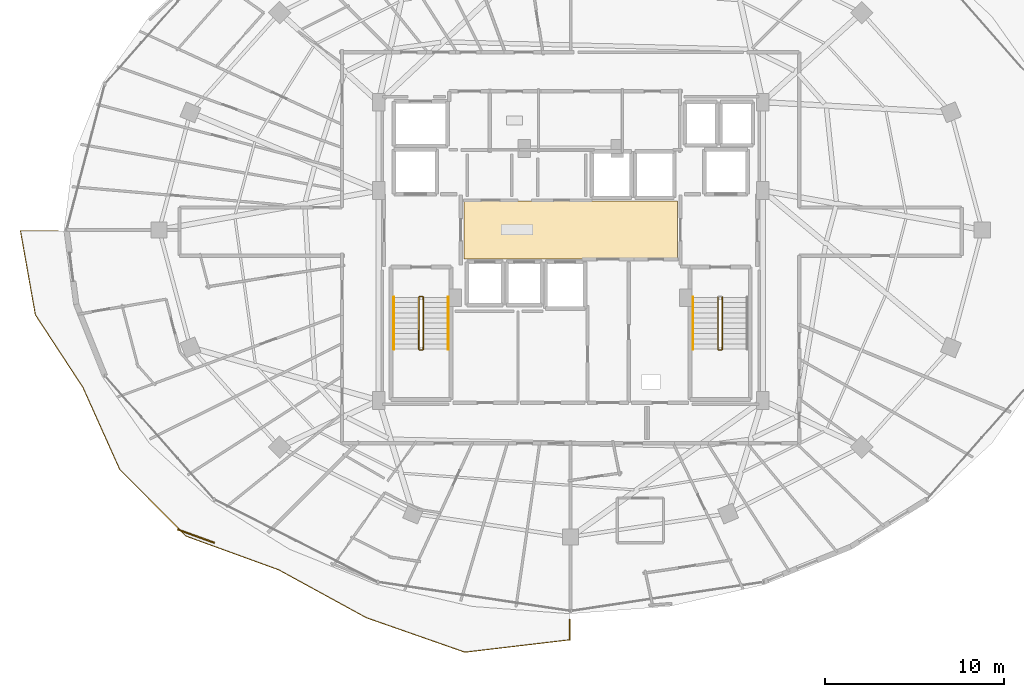
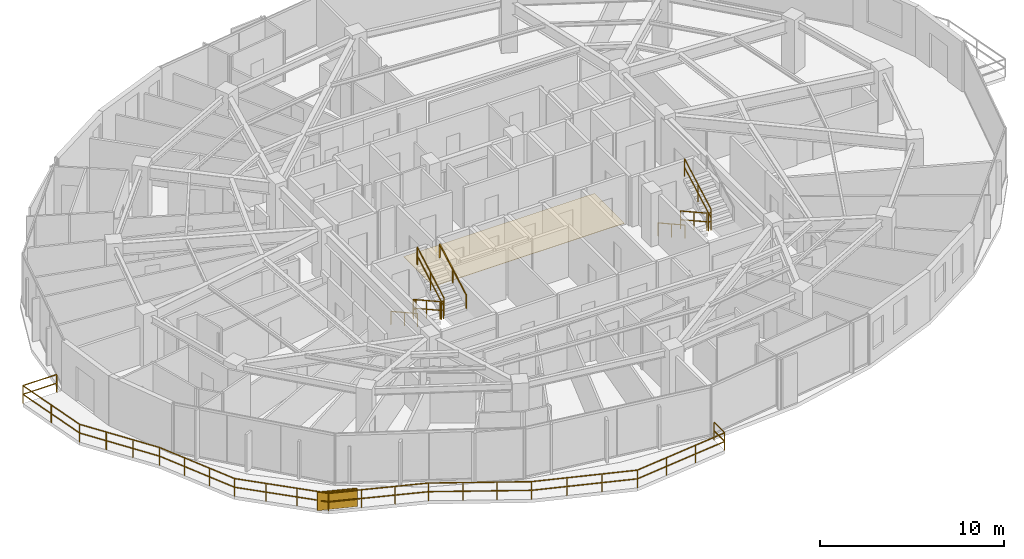
# One storey, part 31 of 33: 12 railings, 1 covering, 1 shading device.
"""IFC4 building model written with IfcOpenShell, lengths in metres."""

import ifcopenshell
import ifcopenshell.guid

model = None  # the IFC model being written
_history = None  # IfcOwnerHistory: only IFC2X3 demands one
_inside = {}  # id of a spatial element -> (the spatial element, [elements in it])
_under = {}  # id of a project, library or spatial element -> (it, [spatial elements below it])
_declared = {}  # id of a project -> (the project, [libraries it declares])
_typed = {}  # id of a type object -> (the type object, [elements of that type])
_made_of = {}  # id of a material, layer set ... -> (it, [elements and type objects made of it])


def new_model(schema):
    """Start an empty IFC model of exactly this schema.

    Asked for "IFC4X3", IfcOpenShell would pick the latest addendum, in which some entities
    have other attributes; the version numbers below select the first issue.
    IFC2X3 requires an IfcOwnerHistory on every rooted entity: one is made here for all.
    """
    global model, _history
    if schema == "IFC4X3":
        model = ifcopenshell.file(schema_version=(4, 3, 0, 0))
    else:
        model = ifcopenshell.file(schema=schema)
    _inside.clear()
    _under.clear()
    _declared.clear()
    _typed.clear()
    _made_of.clear()
    _history = None
    if model.schema == "IFC2X3":
        org = make("IfcOrganization", Name="unknown")
        user = make(
            "IfcPersonAndOrganization",
            ThePerson=make("IfcPerson", FamilyName="unknown"),
            TheOrganization=org,
        )
        app = make(
            "IfcApplication",
            ApplicationDeveloper=org,
            Version="unknown",
            ApplicationFullName="unknown",
            ApplicationIdentifier="unknown",
        )
        _history = make(
            "IfcOwnerHistory",
            OwningUser=user,
            OwningApplication=app,
            ChangeAction="ADDED",
            CreationDate=0,
        )
    return model


def make(cls, **values):
    """One entity of the class cls with the attributes given. An attribute that is None is left unset."""
    return model.create_entity(
        cls, **{name: value for name, value in values.items() if value is not None}
    )


def rooted(cls, **values):
    """An entity with a GlobalId (a new one), such as an element, a storey or a relation."""
    return make(cls, GlobalId=ifcopenshell.guid.new(), OwnerHistory=_history, **values)


def si_unit(unit_type, name, prefix=None):
    """IfcSIUnit, for example si_unit("LENGTHUNIT", "METRE", prefix="MILLI")."""
    return make("IfcSIUnit", UnitType=unit_type, Prefix=prefix, Name=name)


def assignment(units):
    """IfcUnitAssignment: the units of a project."""
    return None if units is None else make("IfcUnitAssignment", Units=units)


def point(xyz):
    """IfcCartesianPoint."""
    return None if xyz is None else make("IfcCartesianPoint", Coordinates=xyz)


def direction(xyz):
    """IfcDirection."""
    return None if xyz is None else make("IfcDirection", DirectionRatios=xyz)


def frame(location, z_axis=None, x_axis=None):
    """IfcAxis2Placement3D, a coordinate frame: its origin and axes. An axis left out is left unset."""
    return make(
        "IfcAxis2Placement3D",
        Location=point(location),
        Axis=direction(z_axis),
        RefDirection=direction(x_axis),
    )


def frame_2d(location, x_axis=None):
    """IfcAxis2Placement2D, a coordinate frame in the plane: its origin and x axis."""
    return make(
        "IfcAxis2Placement2D", Location=point(location), RefDirection=direction(x_axis)
    )


def origin():
    """The frame at (0, 0, 0) with its axes left unset."""
    return frame((0.0, 0.0, 0.0))


def origin_2d():
    """The frame at (0, 0) in the plane with its x axis left unset."""
    return frame_2d((0.0, 0.0))


def place(relative_to, where):
    """IfcLocalPlacement: puts the frame where relative to a parent placement (None: the world)."""
    return make(
        "IfcLocalPlacement", PlacementRelTo=relative_to, RelativePlacement=where
    )


def context(
    kind, dimensions, precision=None, world=None, true_north=None, identifier=None
):
    """IfcGeometricRepresentationContext, for example the 3D "Model" context."""
    return make(
        "IfcGeometricRepresentationContext",
        ContextIdentifier=identifier,
        ContextType=kind,
        CoordinateSpaceDimension=dimensions,
        Precision=precision,
        WorldCoordinateSystem=world,
        TrueNorth=true_north,
    )


def subcontext(parent, identifier, kind, view, scale=None):
    """IfcGeometricRepresentationSubContext, for example "Body" below "Model"."""
    return make(
        "IfcGeometricRepresentationSubContext",
        ContextIdentifier=identifier,
        ContextType=kind,
        ParentContext=parent,
        TargetScale=scale,
        TargetView=view,
    )


def project(units=None, contexts=None):
    """IfcProject with its units and contexts."""
    return rooted(
        "IfcProject",
        Name="project",
        RepresentationContexts=contexts,
        UnitsInContext=assignment(units),
    )


def spatial(cls, under=None, at=None, **own):
    """A site, building, storey or space (cls), placed at a placement, below another one or the project."""
    s = rooted(cls, ObjectPlacement=at, **own)
    if under is not None:
        _under.setdefault(under.id(), (under, []))[1].append(s)
    return s


def polyline(points):
    """IfcPolyline through the points."""
    return make("IfcPolyline", Points=[point(p) for p in points])


def profile(cls, at=None, kind="AREA", **sizes):
    """A parametric profile (cls). Its sizes go by their IFC names, for example OverallWidth=200.0."""
    return make(cls, ProfileType=kind, Position=at, **sizes)


def rectangle(**sizes):
    """IfcRectangleProfileDef."""
    return profile("IfcRectangleProfileDef", **sizes)


def outline(outer, holes=None, kind="AREA"):
    """IfcArbitraryClosedProfileDef: a profile drawn as a closed curve; with holes, ...WithVoids."""
    if holes is None:
        return make("IfcArbitraryClosedProfileDef", ProfileType=kind, OuterCurve=outer)
    return make(
        "IfcArbitraryProfileDefWithVoids",
        ProfileType=kind,
        OuterCurve=outer,
        InnerCurves=holes,
    )


def extrude(swept, where, along, depth):
    """IfcExtrudedAreaSolid: the profile swept, set in the frame where, extruded along a direction by depth."""
    return make(
        "IfcExtrudedAreaSolid",
        SweptArea=swept,
        Position=where,
        ExtrudedDirection=direction(along),
        Depth=depth,
    )


def shape(context_of_items, identifier, shape_type, items):
    """IfcShapeRepresentation: the items that make up one representation, for example the "Body"."""
    return make(
        "IfcShapeRepresentation",
        ContextOfItems=context_of_items,
        RepresentationIdentifier=identifier,
        RepresentationType=shape_type,
        Items=items,
    )


def material(Name=None, Category=None):
    """IfcMaterial."""
    return make("IfcMaterial", Name=Name, Category=Category)


def layer(
    of_material, thickness, ventilated=None, Name=None, Category=None, Priority=None
):
    """IfcMaterialLayer: one layer of a wall or slab, of a material (None: an air gap)."""
    return make(
        "IfcMaterialLayer",
        Material=of_material,
        LayerThickness=thickness,
        IsVentilated=ventilated,
        Name=Name,
        Category=Category,
        Priority=Priority,
    )


def layer_set(layers, Name=None):
    """IfcMaterialLayerSet."""
    return make("IfcMaterialLayerSet", MaterialLayers=layers, LayerSetName=Name)


def made_of(thing, what):
    """Note that an element or type object is made of a material, layer set ...; save() writes the relation."""
    if what is not None:
        _made_of.setdefault(what.id(), (what, []))[1].append(thing)
    return thing


def type_object(cls, material=None, **own):
    """A type object (cls), such as IfcWallType, which elements share."""
    return made_of(rooted(cls, **own), material)


def element(
    cls,
    number,
    at=None,
    inside=None,
    cuts=None,
    type_object=None,
    material=None,
    context=None,
    identifier="Body",
    shape_type=None,
    held_by="IfcProductDefinitionShape",
    body=None,
    shapes=None,
    **own,
):
    """One element of the class cls, such as IfcWall. Its Tag is "e" and its number.

    at: its placement. inside: the storey or other place that contains it. cuts: it is an
    opening in that element (IfcRelVoidsElement). A single representation is given by context,
    identifier, shape_type and body (its items); several are given by shapes. held_by: the class
    of the entity that holds the representations. save() writes the other relations.
    """
    e = rooted(cls, Tag="e%d" % number, ObjectPlacement=at, **own)
    if body is not None:
        shapes = [shape(context, identifier, shape_type, body)]
    if shapes is not None:
        e.Representation = make(held_by, Representations=shapes)
    if inside is not None:
        _inside.setdefault(inside.id(), (inside, []))[1].append(e)
    if cuts is not None:
        rooted(
            "IfcRelVoidsElement", RelatingBuildingElement=cuts, RelatedOpeningElement=e
        )
    if type_object is not None:
        _typed.setdefault(type_object.id(), (type_object, []))[1].append(e)
    return made_of(e, material)


def aggregate(whole, parts):
    """IfcRelAggregates: a whole, such as a stair, and the parts it consists of."""
    return rooted("IfcRelAggregates", RelatingObject=whole, RelatedObjects=parts)


def save(model, path):
    """Write the relations noted so far, then the file.

    IfcRelAggregates (storeys below a building ...), IfcRelContainedInSpatialStructure (elements
    in a storey), IfcRelDefinesByType, IfcRelAssociatesMaterial and IfcRelDeclares: one each for
    every whole, place, type object, material and project.
    """
    for whole, parts in _under.values():
        aggregate(whole, parts)
    for where, things in _inside.values():
        rooted(
            "IfcRelContainedInSpatialStructure",
            RelatedElements=things,
            RelatingStructure=where,
        )
    for kind, things in _typed.values():
        rooted("IfcRelDefinesByType", RelatedObjects=things, RelatingType=kind)
    for what, things in _made_of.values():
        rooted("IfcRelAssociatesMaterial", RelatedObjects=things, RelatingMaterial=what)
    for by, libraries in _declared.values():
        rooted("IfcRelDeclares", RelatingContext=by, RelatedDefinitions=libraries)
    model.write(path)


model = new_model("IFC4")

# Units and contexts
model_context = context("Model", 3, precision=1e-05, world=origin(), true_north=direction((0.0, 1.0)))
body_context = subcontext(model_context, "Body", "Model", "MODEL_VIEW")
ifc_project = project(units=[si_unit("LENGTHUNIT", "METRE"), si_unit("AREAUNIT", "SQUARE_METRE"), si_unit("VOLUMEUNIT", "CUBIC_METRE"), si_unit("PLANEANGLEUNIT", "RADIAN"), si_unit("MASSUNIT", "GRAM", prefix="KILO")], contexts=[model_context])

# Site, building, storey
site_placement = place(None, origin())
site = spatial("IfcSite", under=ifc_project, at=site_placement, CompositionType="ELEMENT")
building_placement = place(site_placement, origin())
building = spatial("IfcBuilding", under=site, at=building_placement, Name="Vorneva Point Tower", CompositionType="ELEMENT")
storey_placement = place(building_placement, frame((0.0, 0.0, 203.64990234375)))
storey = spatial("IfcBuildingStorey", under=building, at=storey_placement, Name="L55", CompositionType="ELEMENT", Elevation=203.64990234375)

# Covering
ifc_material_1 = material(Name="Acoustic wool hospitality carpet", Category="textile")
ifc_layer = layer(ifc_material_1, 0.01806640625)
ifc_layer_set = layer_set([ifc_layer], Name="Acoustic wool hospitality carpet")
covering_type = type_object("IfcCoveringType", Name="COV-FLR-CRP", PredefinedType="FLOORING", material=ifc_layer_set)
covering_placement = place(storey_placement, frame((0.0, 0.0, -0.0048828125)))
element("IfcCovering", 1, at=covering_placement, inside=storey, type_object=covering_type, Name="L55 Lift Lobby Floor Finish", PredefinedType="FLOORING", context=body_context, shape_type="SweptSolid", body=[
    extrude(outline(polyline([(32.02001953125, 24.3701171875), (43.97998046875, 24.3701171875), (43.97998046875, 27.6298828125), (32.02001953125, 27.6298828125), (32.02001953125, 24.3701171875)])), origin(), (0.0, 0.0, 1.0), 0.02294921875),
])

# Railings
ifc_material_2 = material(Name="Pale anodised aluminium", Category="aluminium")
railing_type_1 = type_object("IfcRailingType", Name="RL-BAL-1200", PredefinedType="BALUSTRADE", material=ifc_material_2)
railing_1_placement = place(storey_placement, frame((37.949951171875, 3.0390625, 0.0)))
element("IfcRailing", 2, at=railing_1_placement, inside=storey, type_object=railing_type_1, Name="L55 Wave Balcony Balustrade SW.1", PredefinedType="BALUSTRADE", context=body_context, shape_type="SweptSolid", body=[
    extrude(rectangle(XDim=0.048095703125, YDim=0.048095703125, at=origin_2d()), frame((0.0, 0.0, 1.17578125), z_axis=(0.0, 1.0, 0.0), x_axis=(-1.0, 0.0, 0.0)), (0.0, 0.0, 1.0), 1.143798828125),
    extrude(rectangle(XDim=0.048095703125, YDim=0.048095703125, at=origin_2d()), frame((0.0, 0.0, 0.60009765625), z_axis=(0.0, 1.0, 0.0), x_axis=(-1.0, 0.0, 0.0)), (0.0, 0.0, 1.0), 1.143798828125),
    extrude(rectangle(XDim=0.0419921875, YDim=0.0419921875, at=origin_2d()), origin(), (0.0, 0.0, 1.0), 1.15185546875),
    extrude(rectangle(XDim=0.0419921875, YDim=0.0419921875, at=origin_2d()), frame((0.0, 1.143798828125, 0.0)), (0.0, 0.0, 1.0), 1.15185546875),
])
railing_2_placement = place(storey_placement, frame((9.3037109375, 25.949951171875, 0.0)))
element("IfcRailing", 3, at=railing_2_placement, inside=storey, type_object=railing_type_1, Name="L55 Wave Balcony Balustrade SW.2", PredefinedType="BALUSTRADE", context=body_context, shape_type="SweptSolid", body=[
    extrude(rectangle(XDim=0.048095703125, YDim=0.048095703125, at=origin_2d()), frame((0.0, 0.0, 1.17578125), z_axis=(-1.0, 0.0, 0.0), x_axis=(0.0, -1.0, 0.0)), (0.0, 0.0, 1.0), 2.119873046875),
    extrude(rectangle(XDim=0.048095703125, YDim=0.048095703125, at=origin_2d()), frame((0.0, 0.0, 0.60009765625), z_axis=(-1.0, 0.0, 0.0), x_axis=(0.0, -1.0, 0.0)), (0.0, 0.0, 1.0), 2.119873046875),
    extrude(rectangle(XDim=0.048095703125, YDim=0.048095703125, at=origin_2d()), frame((-2.119873046875, 0.0, 1.17578125), z_axis=(0.174880445962, -0.984589675763, 0.0), x_axis=(0.984589675763, 0.174880445962, 0.0)), (0.0, 0.0, 1.0), 4.781494140625),
    extrude(rectangle(XDim=0.048095703125, YDim=0.048095703125, at=origin_2d()), frame((-2.119873046875, 0.0, 0.60009765625), z_axis=(0.174880445962, -0.984589675763, 0.0), x_axis=(0.984589675763, 0.174880445962, 0.0)), (0.0, 0.0, 1.0), 4.781494140625),
    extrude(rectangle(XDim=0.048095703125, YDim=0.048095703125, at=origin_2d()), frame((-1.28369140625, -4.707763671875, 1.17578125), z_axis=(0.547637451213, -0.836715735497, 0.0), x_axis=(0.836715735497, 0.547637451213, 0.0)), (0.0, 0.0, 1.0), 4.86376953125),
    extrude(rectangle(XDim=0.048095703125, YDim=0.048095703125, at=origin_2d()), frame((-1.28369140625, -4.707763671875, 0.60009765625), z_axis=(0.547637451213, -0.836715735497, 0.0), x_axis=(0.836715735497, 0.547637451213, 0.0)), (0.0, 0.0, 1.0), 4.86376953125),
    extrude(rectangle(XDim=0.048095703125, YDim=0.048095703125, at=origin_2d()), frame((1.3798828125, -8.77734375, 1.17578125), z_axis=(0.409188443732, -0.912449898634, 0.0), x_axis=(0.912449898634, 0.409188443732, 0.0)), (0.0, 0.0, 1.0), 5.0244140625),
    extrude(rectangle(XDim=0.048095703125, YDim=0.048095703125, at=origin_2d()), frame((1.3798828125, -8.77734375, 0.60009765625), z_axis=(0.409188443732, -0.912449898634, 0.0), x_axis=(0.912449898634, 0.409188443732, 0.0)), (0.0, 0.0, 1.0), 5.0244140625),
    extrude(rectangle(XDim=0.048095703125, YDim=0.048095703125, at=origin_2d()), frame((3.435791015625, -13.36181640625, 1.17578125), z_axis=(0.70488056619, -0.709326009256, 0.0), x_axis=(0.709326009256, 0.70488056619, 0.0)), (0.0, 0.0, 1.0), 5.272216796875),
    extrude(rectangle(XDim=0.048095703125, YDim=0.048095703125, at=origin_2d()), frame((3.435791015625, -13.36181640625, 0.60009765625), z_axis=(0.70488056619, -0.709326009256, 0.0), x_axis=(0.709326009256, 0.70488056619, 0.0)), (0.0, 0.0, 1.0), 5.272216796875),
    extrude(rectangle(XDim=0.048095703125, YDim=0.048095703125, at=origin_2d()), frame((7.152099609375, -17.1015625, 1.17578125), z_axis=(0.939736603952, -0.341899276386, 0.0), x_axis=(0.341899276386, 0.939736603952, 0.0)), (0.0, 0.0, 1.0), 5.521240234375),
    extrude(rectangle(XDim=0.048095703125, YDim=0.048095703125, at=origin_2d()), frame((7.152099609375, -17.1015625, 0.60009765625), z_axis=(0.939736603952, -0.341899276386, 0.0), x_axis=(0.341899276386, 0.939736603952, 0.0)), (0.0, 0.0, 1.0), 5.521240234375),
    extrude(rectangle(XDim=0.048095703125, YDim=0.048095703125, at=origin_2d()), frame((12.340576171875, -18.9892578125, 1.17578125), z_axis=(0.877453467903, -0.479661767984, 0.0), x_axis=(0.479661767984, 0.877453467903, 0.0)), (0.0, 0.0, 1.0), 5.597412109375),
    extrude(rectangle(XDim=0.048095703125, YDim=0.048095703125, at=origin_2d()), frame((12.340576171875, -18.9892578125, 0.60009765625), z_axis=(0.877453467903, -0.479661767984, 0.0), x_axis=(0.479661767984, 0.877453467903, 0.0)), (0.0, 0.0, 1.0), 5.597412109375),
    extrude(rectangle(XDim=0.048095703125, YDim=0.048095703125, at=origin_2d()), frame((17.251953125, -21.674072265625, 1.17578125), z_axis=(0.943956584951, -0.330069637695, 0.0), x_axis=(0.330069637695, 0.943956584951, 0.0)), (0.0, 0.0, 1.0), 5.8486328125),
    extrude(rectangle(XDim=0.048095703125, YDim=0.048095703125, at=origin_2d()), frame((17.251953125, -21.674072265625, 0.60009765625), z_axis=(0.943956584951, -0.330069637695, 0.0), x_axis=(0.330069637695, 0.943956584951, 0.0)), (0.0, 0.0, 1.0), 5.8486328125),
    extrude(rectangle(XDim=0.048095703125, YDim=0.048095703125, at=origin_2d()), frame((22.772705078125, -23.6044921875, 1.17578125), z_axis=(0.99309950924, 0.11727474045, 0.0), x_axis=(-0.11727474045, 0.99309950924, 0.0)), (0.0, 0.0, 1.0), 5.914306640625),
    extrude(rectangle(XDim=0.048095703125, YDim=0.048095703125, at=origin_2d()), frame((22.772705078125, -23.6044921875, 0.60009765625), z_axis=(0.99309950924, 0.11727474045, 0.0), x_axis=(-0.11727474045, 0.99309950924, 0.0)), (0.0, 0.0, 1.0), 5.914306640625),
    extrude(rectangle(XDim=0.0419921875, YDim=0.0419921875, at=origin_2d()), origin(), (0.0, 0.0, 1.0), 1.15185546875),
    extrude(rectangle(XDim=0.0419921875, YDim=0.0419921875, at=origin_2d()), frame((-2.119873046875, 0.0, 0.0)), (0.0, 0.0, 1.0), 1.15185546875),
    extrude(rectangle(XDim=0.0419921875, YDim=0.0419921875, at=origin_2d()), frame((-1.70166015625, -2.35400390625, 0.0)), (0.0, 0.0, 1.0), 1.15185546875),
    extrude(rectangle(XDim=0.0419921875, YDim=0.0419921875, at=origin_2d()), frame((-1.28369140625, -4.707763671875, 0.0)), (0.0, 0.0, 1.0), 1.15185546875),
    extrude(rectangle(XDim=0.0419921875, YDim=0.0419921875, at=origin_2d()), frame((-0.395751953125, -6.064208984375, 0.0)), (0.0, 0.0, 1.0), 1.15185546875),
    extrude(rectangle(XDim=0.0419921875, YDim=0.0419921875, at=origin_2d()), frame((0.491943359375, -7.4208984375, 0.0)), (0.0, 0.0, 1.0), 1.15185546875),
    extrude(rectangle(XDim=0.0419921875, YDim=0.0419921875, at=origin_2d()), frame((1.3798828125, -8.77734375, 0.0)), (0.0, 0.0, 1.0), 1.15185546875),
    extrude(rectangle(XDim=0.0419921875, YDim=0.0419921875, at=origin_2d()), frame((2.065185546875, -10.305419921875, 0.0)), (0.0, 0.0, 1.0), 1.15185546875),
    extrude(rectangle(XDim=0.0419921875, YDim=0.0419921875, at=origin_2d()), frame((2.75048828125, -11.833740234375, 0.0)), (0.0, 0.0, 1.0), 1.15185546875),
    extrude(rectangle(XDim=0.0419921875, YDim=0.0419921875, at=origin_2d()), frame((3.435791015625, -13.36181640625, 0.0)), (0.0, 0.0, 1.0), 1.15185546875),
    extrude(rectangle(XDim=0.0419921875, YDim=0.0419921875, at=origin_2d()), frame((4.674560546875, -14.6083984375, 0.0)), (0.0, 0.0, 1.0), 1.15185546875),
    extrude(rectangle(XDim=0.0419921875, YDim=0.0419921875, at=origin_2d()), frame((5.913330078125, -15.85498046875, 0.0)), (0.0, 0.0, 1.0), 1.15185546875),
    extrude(rectangle(XDim=0.0419921875, YDim=0.0419921875, at=origin_2d()), frame((7.152099609375, -17.1015625, 0.0)), (0.0, 0.0, 1.0), 1.15185546875),
    extrude(rectangle(XDim=0.0419921875, YDim=0.0419921875, at=origin_2d()), frame((8.881591796875, -17.730712890625, 0.0)), (0.0, 0.0, 1.0), 1.15185546875),
    extrude(rectangle(XDim=0.0419921875, YDim=0.0419921875, at=origin_2d()), frame((10.611083984375, -18.360107421875, 0.0)), (0.0, 0.0, 1.0), 1.15185546875),
    extrude(rectangle(XDim=0.0419921875, YDim=0.0419921875, at=origin_2d()), frame((12.340576171875, -18.9892578125, 0.0)), (0.0, 0.0, 1.0), 1.15185546875),
    extrude(rectangle(XDim=0.0419921875, YDim=0.0419921875, at=origin_2d()), frame((13.977783203125, -19.88427734375, 0.0)), (0.0, 0.0, 1.0), 1.15185546875),
    extrude(rectangle(XDim=0.0419921875, YDim=0.0419921875, at=origin_2d()), frame((15.61474609375, -20.779052734375, 0.0)), (0.0, 0.0, 1.0), 1.15185546875),
    extrude(rectangle(XDim=0.0419921875, YDim=0.0419921875, at=origin_2d()), frame((17.251953125, -21.674072265625, 0.0)), (0.0, 0.0, 1.0), 1.15185546875),
    extrude(rectangle(XDim=0.0419921875, YDim=0.0419921875, at=origin_2d()), frame((19.09228515625, -22.317626953125, 0.0)), (0.0, 0.0, 1.0), 1.15185546875),
    extrude(rectangle(XDim=0.0419921875, YDim=0.0419921875, at=origin_2d()), frame((20.932373046875, -22.9609375, 0.0)), (0.0, 0.0, 1.0), 1.15185546875),
    extrude(rectangle(XDim=0.0419921875, YDim=0.0419921875, at=origin_2d()), frame((22.772705078125, -23.6044921875, 0.0)), (0.0, 0.0, 1.0), 1.15185546875),
    extrude(rectangle(XDim=0.0419921875, YDim=0.0419921875, at=origin_2d()), frame((24.73046875, -23.373291015625, 0.0)), (0.0, 0.0, 1.0), 1.15185546875),
    extrude(rectangle(XDim=0.0419921875, YDim=0.0419921875, at=origin_2d()), frame((26.6884765625, -23.14208984375, 0.0)), (0.0, 0.0, 1.0), 1.15185546875),
    extrude(rectangle(XDim=0.0419921875, YDim=0.0419921875, at=origin_2d()), frame((28.646240234375, -22.910888671875, 0.0)), (0.0, 0.0, 1.0), 1.15185546875),
])
ifc_material_3 = material(Name="Brushed stainless steel S304", Category="steel")
railing_type_2 = type_object("IfcRailingType", Name="RL-HND-920", PredefinedType="HANDRAIL", material=ifc_material_3)
railing_3_placement = place(storey_placement, frame((28.10009765625, 22.219970703125, 0.161376953125)))
element("IfcRailing", 4, at=railing_3_placement, inside=storey, type_object=railing_type_2, Name="L55 ST1 stair handrail 1", PredefinedType="HANDRAIL", context=body_context, shape_type="SweptSolid", body=[
    extrude(rectangle(XDim=0.048095703125, YDim=0.048095703125, at=origin_2d()), frame((0.0, 0.0, 0.8759765625), z_axis=(0.0, -0.873810046276, 0.486267419253), x_axis=(1.0, 0.0, 0.0)), (0.0, 0.0, 1.0), 3.318603515625),
    extrude(rectangle(XDim=0.0419921875, YDim=0.0419921875, at=origin_2d()), origin(), (0.0, 0.0, 1.0), 0.851806640625),
    extrude(rectangle(XDim=0.0419921875, YDim=0.0419921875, at=origin_2d()), frame((0.0, -1.449951171875, 0.806884765625)), (0.0, 0.0, 1.0), 0.851806640625),
    extrude(rectangle(XDim=0.0419921875, YDim=0.0419921875, at=origin_2d()), frame((0.0, -2.89990234375, 1.61376953125)), (0.0, 0.0, 1.0), 0.851806640625),
])
railing_4_placement = place(storey_placement, frame((31.14990234375, 19.320068359375, 1.9365234375)))
element("IfcRailing", 5, at=railing_4_placement, inside=storey, type_object=railing_type_2, Name="L55 ST1 stair handrail 2", PredefinedType="HANDRAIL", context=body_context, shape_type="SweptSolid", body=[
    extrude(rectangle(XDim=0.048095703125, YDim=0.048095703125, at=origin_2d()), frame((0.0, 0.0, 0.8759765625), z_axis=(0.0, 0.873841303929, 0.486211245805), x_axis=(-1.0, 0.0, 0.0)), (0.0, 0.0, 1.0), 3.318603515625),
    extrude(rectangle(XDim=0.0419921875, YDim=0.0419921875, at=origin_2d()), origin(), (0.0, 0.0, 1.0), 0.851806640625),
    extrude(rectangle(XDim=0.0419921875, YDim=0.0419921875, at=origin_2d()), frame((0.0, 1.449951171875, 0.806640625)), (0.0, 0.0, 1.0), 0.851806640625),
    extrude(rectangle(XDim=0.0419921875, YDim=0.0419921875, at=origin_2d()), frame((0.0, 2.89990234375, 1.613525390625)), (0.0, 0.0, 1.0), 0.851806640625),
])
railing_5_placement = place(storey_placement, frame((44.85009765625, 22.219970703125, 0.161376953125)))
element("IfcRailing", 6, at=railing_5_placement, inside=storey, type_object=railing_type_2, Name="L55 ST2 stair handrail 1", PredefinedType="HANDRAIL", context=body_context, shape_type="SweptSolid", body=[
    extrude(rectangle(XDim=0.048095703125, YDim=0.048095703125, at=origin_2d()), frame((0.0, 0.0, 0.8759765625), z_axis=(0.0, -0.873810046276, 0.486267419253), x_axis=(1.0, 0.0, 0.0)), (0.0, 0.0, 1.0), 3.318603515625),
    extrude(rectangle(XDim=0.0419921875, YDim=0.0419921875, at=origin_2d()), origin(), (0.0, 0.0, 1.0), 0.851806640625),
    extrude(rectangle(XDim=0.0419921875, YDim=0.0419921875, at=origin_2d()), frame((0.0, -1.449951171875, 0.806884765625)), (0.0, 0.0, 1.0), 0.851806640625),
    extrude(rectangle(XDim=0.0419921875, YDim=0.0419921875, at=origin_2d()), frame((0.0, -2.89990234375, 1.61376953125)), (0.0, 0.0, 1.0), 0.851806640625),
])
railing_type_3 = type_object("IfcRailingType", Name="RL-STG-1100", PredefinedType="GUARDRAIL", material=ifc_material_3)
railing_6_placement = place(storey_placement, frame((29.5, 22.219970703125, 0.161376953125)))
element("IfcRailing", 7, at=railing_6_placement, inside=storey, type_object=railing_type_3, Name="L55 ST1 stair guard 1", PredefinedType="GUARDRAIL", context=body_context, shape_type="SweptSolid", body=[
    extrude(rectangle(XDim=0.048095703125, YDim=0.048095703125, at=origin_2d()), frame((0.0, 0.0, 1.17578125), z_axis=(0.0, -0.873810046276, 0.486267419253), x_axis=(1.0, 0.0, 0.0)), (0.0, 0.0, 1.0), 3.318603515625),
    extrude(rectangle(XDim=0.048095703125, YDim=0.048095703125, at=origin_2d()), frame((0.0, 0.0, 0.60009765625), z_axis=(0.0, -0.873810046276, 0.486267419253), x_axis=(1.0, 0.0, 0.0)), (0.0, 0.0, 1.0), 3.318603515625),
    extrude(rectangle(XDim=0.0419921875, YDim=0.0419921875, at=origin_2d()), origin(), (0.0, 0.0, 1.0), 1.15185546875),
    extrude(rectangle(XDim=0.0419921875, YDim=0.0419921875, at=origin_2d()), frame((0.0, -1.449951171875, 0.806884765625)), (0.0, 0.0, 1.0), 1.15185546875),
    extrude(rectangle(XDim=0.0419921875, YDim=0.0419921875, at=origin_2d()), frame((0.0, -2.89990234375, 1.61376953125)), (0.0, 0.0, 1.0), 1.15185546875),
])
railing_7_placement = place(storey_placement, frame((29.550048828125, 19.27001953125, 1.775146484375)))
element("IfcRailing", 8, at=railing_7_placement, inside=storey, type_object=railing_type_3, Name="L55 ST1 stair guard 2", PredefinedType="GUARDRAIL", context=body_context, shape_type="SweptSolid", body=[
    extrude(rectangle(XDim=0.048095703125, YDim=0.048095703125, at=origin_2d()), frame((0.0, 0.0, 1.17578125), z_axis=(1.0, 0.0, 0.0), x_axis=(0.0, 1.0, 0.0)), (0.0, 0.0, 1.0), 0.14990234375),
    extrude(rectangle(XDim=0.048095703125, YDim=0.048095703125, at=origin_2d()), frame((0.0, 0.0, 0.60009765625), z_axis=(1.0, 0.0, 0.0), x_axis=(0.0, 1.0, 0.0)), (0.0, 0.0, 1.0), 0.14990234375),
    extrude(rectangle(XDim=0.0419921875, YDim=0.0419921875, at=origin_2d()), origin(), (0.0, 0.0, 1.0), 1.15185546875),
    extrude(rectangle(XDim=0.0419921875, YDim=0.0419921875, at=origin_2d()), frame((0.14990234375, 0.0, 0.0)), (0.0, 0.0, 1.0), 1.15185546875),
])
railing_8_placement = place(storey_placement, frame((29.75, 19.320068359375, 1.9365234375)))
element("IfcRailing", 9, at=railing_8_placement, inside=storey, type_object=railing_type_3, Name="L55 ST1 stair guard 3", PredefinedType="GUARDRAIL", context=body_context, shape_type="SweptSolid", body=[
    extrude(rectangle(XDim=0.048095703125, YDim=0.048095703125, at=origin_2d()), frame((0.0, 0.0, 1.17578125), z_axis=(0.0, 0.873841303929, 0.486211245805), x_axis=(-1.0, 0.0, 0.0)), (0.0, 0.0, 1.0), 3.318603515625),
    extrude(rectangle(XDim=0.048095703125, YDim=0.048095703125, at=origin_2d()), frame((0.0, 0.0, 0.60009765625), z_axis=(0.0, 0.873841303929, 0.486211245805), x_axis=(-1.0, 0.0, 0.0)), (0.0, 0.0, 1.0), 3.318603515625),
    extrude(rectangle(XDim=0.0419921875, YDim=0.0419921875, at=origin_2d()), origin(), (0.0, 0.0, 1.0), 1.15185546875),
    extrude(rectangle(XDim=0.0419921875, YDim=0.0419921875, at=origin_2d()), frame((0.0, 1.449951171875, 0.806640625)), (0.0, 0.0, 1.0), 1.15185546875),
    extrude(rectangle(XDim=0.0419921875, YDim=0.0419921875, at=origin_2d()), frame((0.0, 2.89990234375, 1.613525390625)), (0.0, 0.0, 1.0), 1.15185546875),
])
railing_9_placement = place(storey_placement, frame((29.550048828125, 22.27001953125, 0.0)))
element("IfcRailing", 10, at=railing_9_placement, inside=storey, type_object=railing_type_3, Name="L55 ST1 stair guard 4", PredefinedType="GUARDRAIL", context=body_context, shape_type="SweptSolid", body=[
    extrude(rectangle(XDim=0.048095703125, YDim=0.048095703125, at=origin_2d()), frame((0.0, 0.0, 1.17578125), z_axis=(1.0, 0.0, 0.0), x_axis=(0.0, 1.0, 0.0)), (0.0, 0.0, 1.0), 0.14990234375),
    extrude(rectangle(XDim=0.048095703125, YDim=0.048095703125, at=origin_2d()), frame((0.0, 0.0, 0.60009765625), z_axis=(1.0, 0.0, 0.0), x_axis=(0.0, 1.0, 0.0)), (0.0, 0.0, 1.0), 0.14990234375),
    extrude(rectangle(XDim=0.0419921875, YDim=0.0419921875, at=origin_2d()), origin(), (0.0, 0.0, 1.0), 1.15185546875),
    extrude(rectangle(XDim=0.0419921875, YDim=0.0419921875, at=origin_2d()), frame((0.14990234375, 0.0, 0.0)), (0.0, 0.0, 1.0), 1.15185546875),
])
railing_10_placement = place(storey_placement, frame((46.25, 22.219970703125, 0.161376953125)))
element("IfcRailing", 11, at=railing_10_placement, inside=storey, type_object=railing_type_3, Name="L55 ST2 stair guard 1", PredefinedType="GUARDRAIL", context=body_context, shape_type="SweptSolid", body=[
    extrude(rectangle(XDim=0.048095703125, YDim=0.048095703125, at=origin_2d()), frame((0.0, 0.0, 1.17578125), z_axis=(0.0, -0.873810046276, 0.486267419253), x_axis=(1.0, 0.0, 0.0)), (0.0, 0.0, 1.0), 3.318603515625),
    extrude(rectangle(XDim=0.048095703125, YDim=0.048095703125, at=origin_2d()), frame((0.0, 0.0, 0.60009765625), z_axis=(0.0, -0.873810046276, 0.486267419253), x_axis=(1.0, 0.0, 0.0)), (0.0, 0.0, 1.0), 3.318603515625),
    extrude(rectangle(XDim=0.0419921875, YDim=0.0419921875, at=origin_2d()), origin(), (0.0, 0.0, 1.0), 1.15185546875),
    extrude(rectangle(XDim=0.0419921875, YDim=0.0419921875, at=origin_2d()), frame((0.0, -1.449951171875, 0.806884765625)), (0.0, 0.0, 1.0), 1.15185546875),
    extrude(rectangle(XDim=0.0419921875, YDim=0.0419921875, at=origin_2d()), frame((0.0, -2.89990234375, 1.61376953125)), (0.0, 0.0, 1.0), 1.15185546875),
])
railing_11_placement = place(storey_placement, frame((46.300048828125, 19.27001953125, 1.775146484375)))
element("IfcRailing", 12, at=railing_11_placement, inside=storey, type_object=railing_type_3, Name="L55 ST2 stair guard 2", PredefinedType="GUARDRAIL", context=body_context, shape_type="SweptSolid", body=[
    extrude(rectangle(XDim=0.048095703125, YDim=0.048095703125, at=origin_2d()), frame((0.0, 0.0, 1.17578125), z_axis=(1.0, 0.0, 0.0), x_axis=(0.0, 1.0, 0.0)), (0.0, 0.0, 1.0), 0.14990234375),
    extrude(rectangle(XDim=0.048095703125, YDim=0.048095703125, at=origin_2d()), frame((0.0, 0.0, 0.60009765625), z_axis=(1.0, 0.0, 0.0), x_axis=(0.0, 1.0, 0.0)), (0.0, 0.0, 1.0), 0.14990234375),
    extrude(rectangle(XDim=0.0419921875, YDim=0.0419921875, at=origin_2d()), origin(), (0.0, 0.0, 1.0), 1.15185546875),
    extrude(rectangle(XDim=0.0419921875, YDim=0.0419921875, at=origin_2d()), frame((0.14990234375, 0.0, 0.0)), (0.0, 0.0, 1.0), 1.15185546875),
])
railing_12_placement = place(storey_placement, frame((46.5, 19.320068359375, 1.9365234375)))
element("IfcRailing", 13, at=railing_12_placement, inside=storey, type_object=railing_type_3, Name="L55 ST2 stair guard 3", PredefinedType="GUARDRAIL", context=body_context, shape_type="SweptSolid", body=[
    extrude(rectangle(XDim=0.048095703125, YDim=0.048095703125, at=origin_2d()), frame((0.0, 0.0, 1.17578125), z_axis=(0.0, 0.873841303929, 0.486211245805), x_axis=(-1.0, 0.0, 0.0)), (0.0, 0.0, 1.0), 3.318603515625),
    extrude(rectangle(XDim=0.048095703125, YDim=0.048095703125, at=origin_2d()), frame((0.0, 0.0, 0.60009765625), z_axis=(0.0, 0.873841303929, 0.486211245805), x_axis=(-1.0, 0.0, 0.0)), (0.0, 0.0, 1.0), 3.318603515625),
    extrude(rectangle(XDim=0.0419921875, YDim=0.0419921875, at=origin_2d()), origin(), (0.0, 0.0, 1.0), 1.15185546875),
    extrude(rectangle(XDim=0.0419921875, YDim=0.0419921875, at=origin_2d()), frame((0.0, 1.449951171875, 0.806640625)), (0.0, 0.0, 1.0), 1.15185546875),
    extrude(rectangle(XDim=0.0419921875, YDim=0.0419921875, at=origin_2d()), frame((0.0, 2.89990234375, 1.613525390625)), (0.0, 0.0, 1.0), 1.15185546875),
])

# Shading device
shading_device_type = type_object("IfcShadingDeviceType", Name="SHD-JAL-1200", PredefinedType="JALOUSIE", material=ifc_material_2)
shading_device_placement = place(storey_placement, frame((17.01123046875, 8.847412109375, -0.02001953125), z_axis=(0.0, 0.0, 1.0), x_axis=(0.939734399416, -0.341905335662, 0.0)))
element("IfcShadingDevice", 14, at=shading_device_placement, inside=storey, type_object=shading_device_type, Name="L55 Balcony Vertical-Greenery Planter Screen SW.2", PredefinedType="JALOUSIE", context=body_context, shape_type="SweptSolid", body=[
    extrude(rectangle(XDim=2.199951171875, YDim=0.080078125, at=origin_2d()), origin(), (0.0, 0.0, 1.0), 1.199951171875),
])

save(model, "model.ifc")
